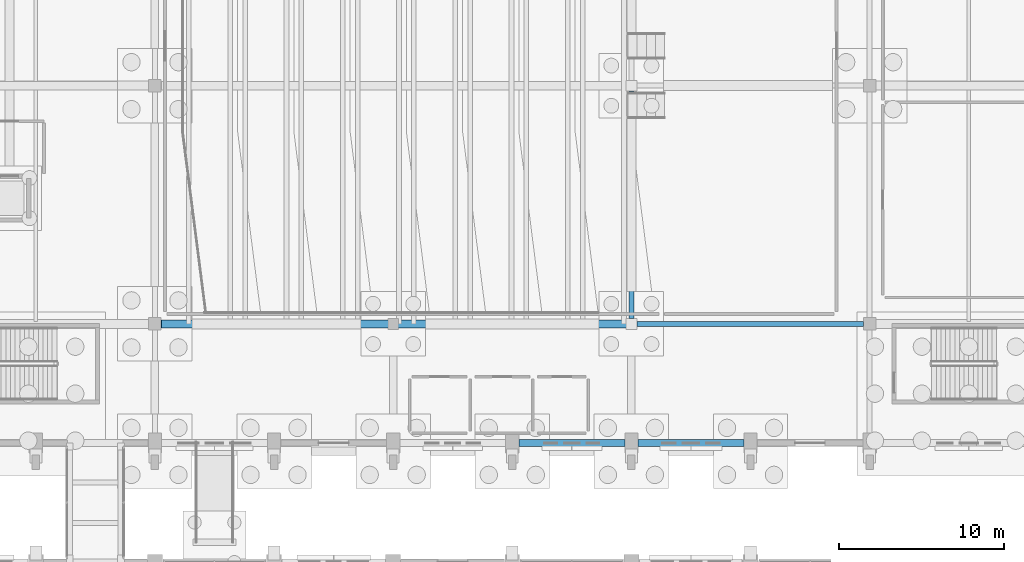
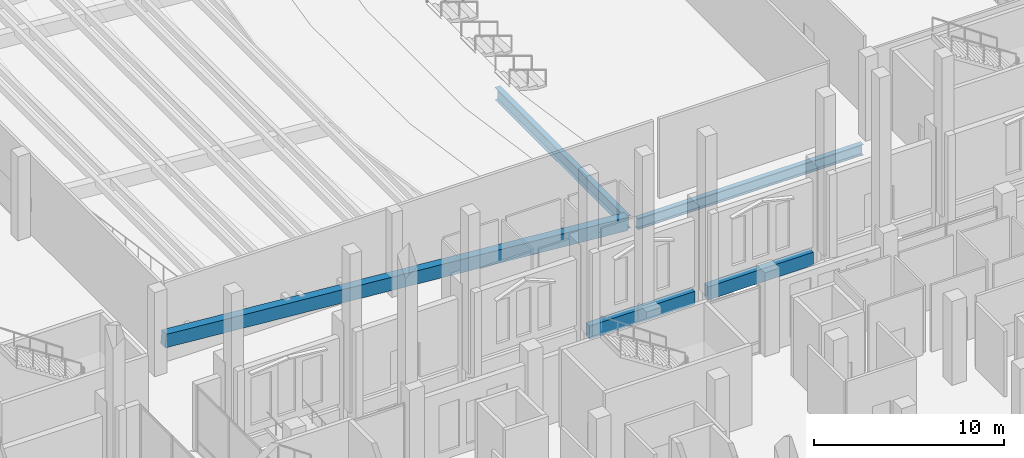
# One storey, part 97 of 192: 5 beams.
"""IFC4 building model written with IfcOpenShell, lengths in metres."""

from ifc_helpers import new_model, si_unit, direction, frame, origin, origin_2d, place, context, subcontext, project, spatial, rectangle, i_section, extrude, material, material_profile, profile_set, type_object, element, save


model = new_model("IFC4")

# Units and contexts
model_context = context("Model", 3, precision=1e-05, world=origin(), true_north=direction((0.0, 1.0)))
body_context = subcontext(model_context, "Body", "Model", "MODEL_VIEW")
ifc_project = project(units=[si_unit("LENGTHUNIT", "METRE"), si_unit("AREAUNIT", "SQUARE_METRE"), si_unit("VOLUMEUNIT", "CUBIC_METRE"), si_unit("PLANEANGLEUNIT", "RADIAN"), si_unit("MASSUNIT", "GRAM", prefix="KILO")], contexts=[model_context])

# Site, building, storey
site_placement = place(None, origin())
site = spatial("IfcSite", under=ifc_project, at=site_placement, CompositionType="ELEMENT")
building_placement = place(site_placement, origin())
building = spatial("IfcBuilding", under=site, at=building_placement, Name="Cendralis Lancet Convention Centre", CompositionType="ELEMENT")
storey_placement = place(building_placement, origin())
storey = spatial("IfcBuildingStorey", under=building, at=storey_placement, Name="L00", CompositionType="ELEMENT", Elevation=0.0)

# Beams
ifc_material_1 = material(Name="Steel S355", Category="steel")
ifc_material_profile_1 = material_profile(ifc_material_1, i_section(OverallWidth=0.320068359375, OverallDepth=0.800048828125, WebThickness=0.013916015625, FlangeThickness=0.02490234375, at=origin_2d()), Name="PG 800x320")
ifc_profile_set_1 = profile_set([ifc_material_profile_1], Name="Steel S355")
beam_type_1 = type_object("IfcBeamType", Name="STR-BM-SG06", PredefinedType="BEAM", material=ifc_profile_set_1)
beam_1_placement = place(storey_placement, frame((182.39990234375, 50.72509765625, -0.719970703125), z_axis=(0.0, 1.0, 0.0), x_axis=(-1.0, 0.0, 0.0)))
element("IfcBeam", 1, at=beam_1_placement, inside=storey, type_object=beam_type_1, Name="L00 Beam SG06 #1577", PredefinedType="BEAM", context=body_context, shape_type="SweptSolid", body=[
    extrude(i_section(OverallWidth=0.320068359375, OverallDepth=0.800048828125, WebThickness=0.013916015625, FlangeThickness=0.02490234375, at=origin_2d()), origin(), (0.0, 0.0, 1.0), 13.75),
])
ifc_material_profile_2 = material_profile(ifc_material_1, i_section(OverallWidth=0.300048828125, OverallDepth=0.699951171875, WebThickness=0.01708984375, FlangeThickness=0.031982421875, FilletRadius=0.027099609375, at=origin_2d()), Name="HEB 700")
ifc_profile_set_2 = profile_set([ifc_material_profile_2], Name="Steel S355")
beam_type_2 = type_object("IfcBeamType", Name="STR-BM-SG07", PredefinedType="BEAM", material=ifc_profile_set_2)
beam_2_placement = place(storey_placement, frame((182.72509765625, 50.39990234375, -0.669921875), z_axis=(1.0, 0.0, 0.0), x_axis=(0.0, 1.0, 0.0)))
element("IfcBeam", 2, at=beam_2_placement, inside=storey, type_object=beam_type_2, Name="L00 Beam SG07 #1356", PredefinedType="BEAM", context=body_context, shape_type="SweptSolid", body=[
    extrude(i_section(OverallWidth=0.300048828125, OverallDepth=0.699951171875, WebThickness=0.01708984375, FlangeThickness=0.031982421875, FilletRadius=0.027099609375, at=origin_2d()), origin(), (0.0, 0.0, 1.0), 13.699951171875),
])
ifc_material_2 = material(Name="Concrete G35 (C35/45)", Category="concrete")
ifc_material_profile_3 = material_profile(ifc_material_2, rectangle(XDim=0.5, YDim=0.85009765625, at=origin_2d()), Name="RCB 500x850")
ifc_profile_set_3 = profile_set([ifc_material_profile_3], Name="Concrete G35 (C35/45)")
beam_type_3 = type_object("IfcBeamType", Name="STR-RK-RAKER1", PredefinedType="USERDEFINED", material=ifc_profile_set_3)
beam_3_placement = place(storey_placement, frame((153.97509765625, 50.39990234375, 1.949951171875), z_axis=(0.996666807535, 0.0, -0.081579867362), x_axis=(0.0, 1.0, 0.0)))
element("IfcBeam", 3, at=beam_3_placement, inside=storey, type_object=beam_type_3, Name="Plenary Lower Stand RAKER Girder RK01-01", ObjectType="RAKER", PredefinedType="USERDEFINED", context=body_context, shape_type="SweptSolid", body=[
    extrude(rectangle(XDim=0.5, YDim=0.85009765625, at=origin_2d()), origin(), (0.0, 0.0, 1.0), 28.19384765625),
])
ifc_material_3 = material(Name="Concrete G40 (C40/50)", Category="concrete")
ifc_material_profile_4 = material_profile(ifc_material_3, rectangle(XDim=0.39990234375, YDim=0.85009765625, at=origin_2d()), Name="RCB 400x850")
ifc_profile_set_4 = profile_set([ifc_material_profile_4], Name="Concrete G40 (C40/50)")
beam_type_4 = type_object("IfcBeamType", Name="STR-SP-SP02", PredefinedType="SPANDREL", material=ifc_profile_set_4)
for number, where, z_axis, x_axis, name in (
    (4, (175.60009765625, 43.199951171875, -0.7451171875), (1.0, 0.0, 0.0), (0.0, 1.0, 0.0), "L00 Beam SP02 #1342"),
    (5, (182.800048828125, 43.199951171875, -0.7451171875), (1.0, 0.0, 0.0), (0.0, 1.0, 0.0), "L00 Beam SP02 #1343"),
):
    element("IfcBeam", number, at=place(storey_placement, frame(where, z_axis=z_axis, x_axis=x_axis)), inside=storey, type_object=beam_type_4, Name=name, PredefinedType="SPANDREL", context=body_context, shape_type="SweptSolid", body=[
        extrude(rectangle(XDim=0.39990234375, YDim=0.85009765625, at=origin_2d()), origin(), (0.0, 0.0, 1.0), 6.39990234375),
    ])

save(model, "model.ifc")
